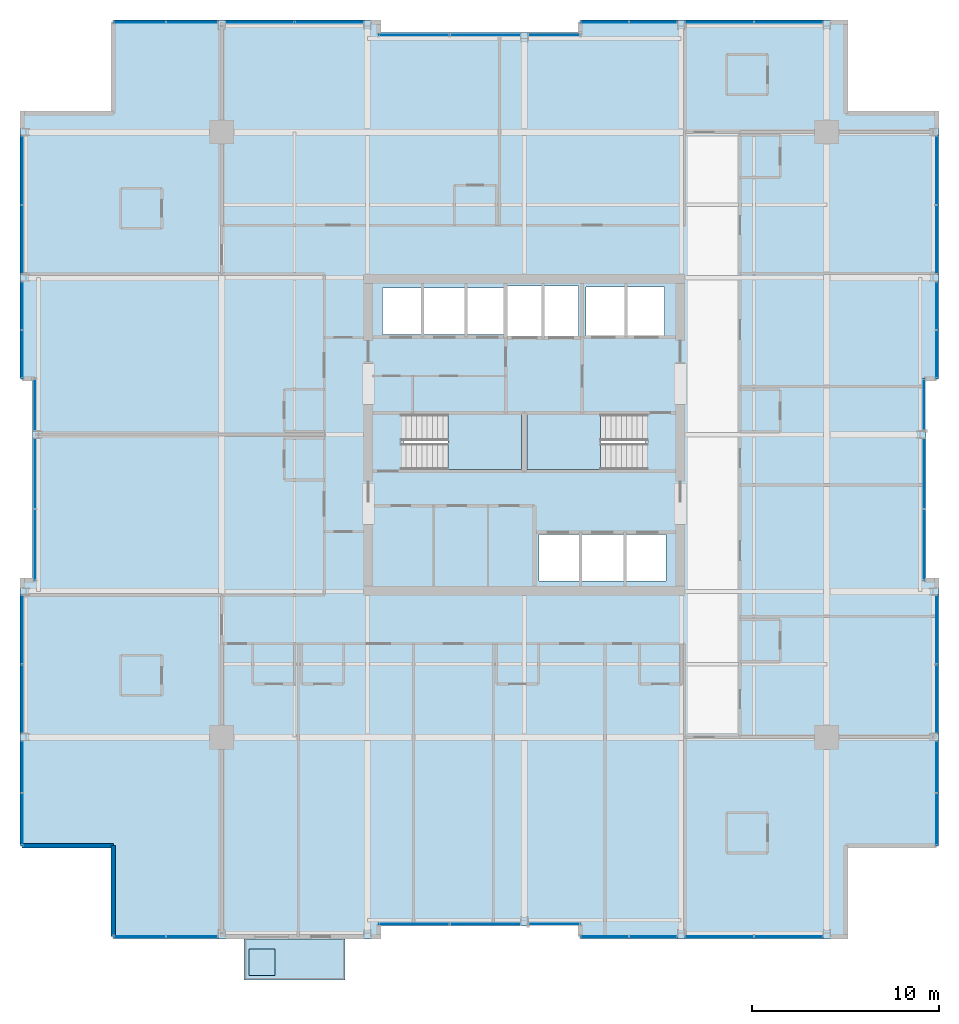
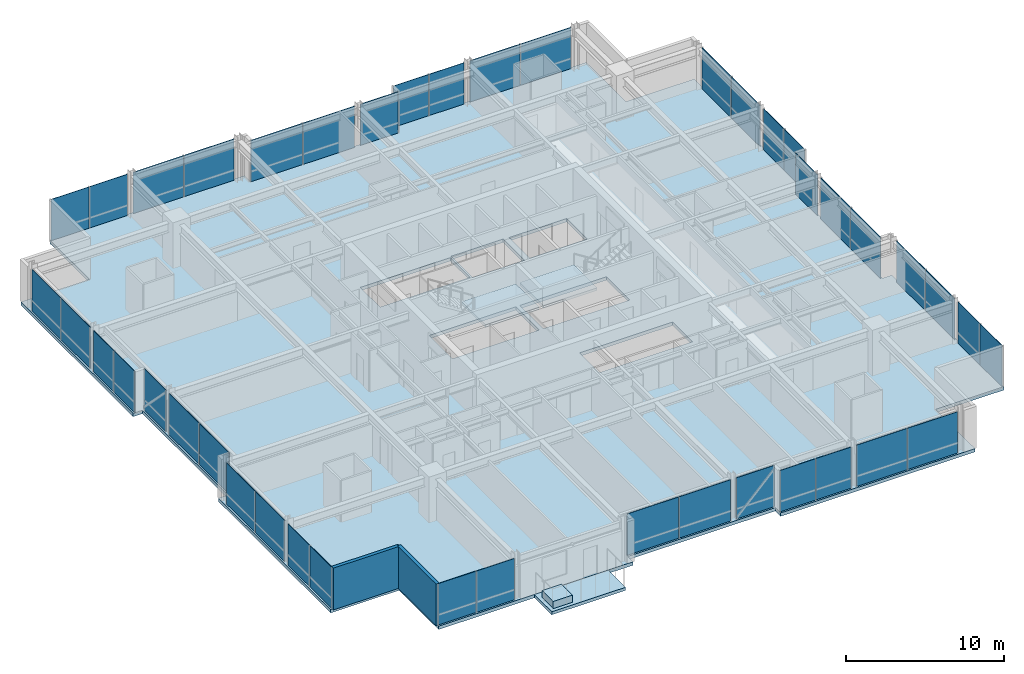
# One storey, part 25 of 33: 42 plates, 5 slabs, 2 walls, 25 elements without a shape of their own.
"""IFC4 building model written with IfcOpenShell, lengths in metres."""

from ifc_helpers import new_model, si_unit, direction, frame, frame_2d, origin, origin_2d, place, context, subcontext, project, spatial, polyline, rectangle, outline, extrude, material, layer, layer_set, type_object, element, aggregate, save


model = new_model("IFC4")

# Units and contexts
model_context = context("Model", 3, precision=1e-05, world=origin(), true_north=direction((0.0, 1.0)))
body_context = subcontext(model_context, "Body", "Model", "MODEL_VIEW")
ifc_project = project(units=[si_unit("LENGTHUNIT", "METRE"), si_unit("AREAUNIT", "SQUARE_METRE"), si_unit("VOLUMEUNIT", "CUBIC_METRE"), si_unit("PLANEANGLEUNIT", "RADIAN"), si_unit("MASSUNIT", "GRAM", prefix="KILO")], contexts=[model_context])

# Site, building, storey
site_placement = place(None, origin())
site = spatial("IfcSite", under=ifc_project, at=site_placement, CompositionType="ELEMENT")
building_placement = place(site_placement, origin())
building = spatial("IfcBuilding", under=site, at=building_placement, Name="Drelvath Grand Hotel", CompositionType="ELEMENT")
storey_placement = place(building_placement, frame((0.0, 0.0, 196.550048828125)))
storey = spatial("IfcBuildingStorey", under=building, at=storey_placement, Name="L51", CompositionType="ELEMENT", Elevation=196.550048828125)

# Slabs
ifc_material_1 = material(Name="Concrete f'c 40 MPa", Category="concrete")
ifc_layer_1 = layer(ifc_material_1, 0.239990234375)
ifc_layer_set_1 = layer_set([ifc_layer_1], Name="Concrete f'c 40 MPa")
slab_type_1 = type_object("IfcSlabType", Name="Cantilevered Tree Balcony Slab 240", PredefinedType="FLOOR", material=ifc_layer_set_1)
slab_1_placement = place(storey_placement, frame((0.0, 0.0, -0.239990234375)))
element("IfcSlab", 1, at=slab_1_placement, inside=storey, type_object=slab_type_1, Name="L51 Cantilevered Tree Balcony Slab 1", PredefinedType="FLOOR", context=body_context, shape_type="SweptSolid", body=[
    extrude(outline(polyline([(-15.0, -2.199951171875), (-9.60009765625, -2.199951171875), (-9.60009765625, 0.0), (-15.0, 0.0), (-15.0, -2.199951171875)])), origin(), (0.0, 0.0, 1.0), 0.239990234375),
])
ifc_layer_2 = layer(ifc_material_1, 0.260009765625)
ifc_layer_set_2 = layer_set([ifc_layer_2], Name="Concrete f'c 40 MPa")
slab_type_2 = type_object("IfcSlabType", Name="Composite RC Floor Slab 260", PredefinedType="FLOOR", material=ifc_layer_set_2)
slab_2_placement = place(storey_placement, frame((0.0, 0.0, -0.260009765625)))
element("IfcSlab", 2, at=slab_2_placement, inside=storey, type_object=slab_type_2, Name="L51 Structural Floor Slab", PredefinedType="FLOOR", context=body_context, shape_type="SweptSolid", body=[
    extrude(outline(polyline([(-22.0, 0.0), (-7.800048828125, 0.0), (-7.800048828125, 0.679931640625), (3.0, 0.679931640625), (3.0, 0.0), (17.199951171875, 0.0), (17.199951171875, 5.0), (22.199951171875, 5.0), (22.199951171875, 19.199951171875), (21.52001953125, 19.199951171875), (21.52001953125, 30.0), (22.199951171875, 30.0), (22.199951171875, 44.199951171875), (17.199951171875, 44.199951171875), (17.199951171875, 49.199951171875), (3.0, 49.199951171875), (3.0, 48.52001953125), (-7.800048828125, 48.52001953125), (-7.800048828125, 49.199951171875), (-22.0, 49.199951171875), (-22.0, 44.199951171875), (-27.0, 44.199951171875), (-27.0, 30.0), (-26.320068359375, 30.0), (-26.320068359375, 19.199951171875), (-27.0, 19.199951171875), (-27.0, 5.0), (-22.0, 5.0), (-22.0, 0.0)]), holes=[polyline([(-6.47998046875, 25.1201171875), (-6.47998046875, 28.080078125), (-0.14990234375, 28.080078125), (-0.14990234375, 25.1201171875), (-6.47998046875, 25.1201171875)]), polyline([(0.14990234375, 25.1201171875), (0.14990234375, 28.080078125), (6.47998046875, 28.080078125), (6.47998046875, 25.1201171875), (0.14990234375, 25.1201171875)]), polyline([(0.800048828125, 19.14990234375), (0.800048828125, 21.64990234375), (7.60009765625, 21.64990234375), (7.60009765625, 19.14990234375), (0.800048828125, 19.14990234375)]), polyline([(-7.60009765625, 32.35009765625), (-7.60009765625, 34.85009765625), (-1.02001953125, 34.85009765625), (-1.02001953125, 32.35009765625), (-7.60009765625, 32.35009765625)]), polyline([(-0.89990234375, 32.25), (-0.89990234375, 34.949951171875), (2.89990234375, 34.949951171875), (2.89990234375, 32.25), (-0.89990234375, 32.25)]), polyline([(3.300048828125, 32.300048828125), (3.300048828125, 34.89990234375), (7.5, 34.89990234375), (7.5, 32.300048828125), (3.300048828125, 32.300048828125)])]), origin(), (0.0, 0.0, 1.0), 0.260009765625),
])

# Stair, slab
ifc_material_2 = material(Name="Concrete C40/50", Category="concrete")
stair_type = type_object("IfcStairType", Name="Dogleg Exit Stair W1400-R177.5", PredefinedType="HALF_TURN_STAIR", material=ifc_material_2)
stair_1_placement = place(storey_placement, origin())
stair_1 = element("IfcStair", 3, at=stair_1_placement, inside=storey, type_object=stair_type, Name="L51 Core Exit Stair ST-1", PredefinedType="HALF_TURN_STAIR")
ifc_layer_3 = layer(ifc_material_2, 0.199951171875)
ifc_layer_set_3 = layer_set([ifc_layer_3], Name="Concrete C40/50")
slab_type_3 = type_object("IfcSlabType", Name="Concrete Stair Landing Slab 200", PredefinedType="LANDING", material=ifc_layer_set_3)
slab_3_placement = place(storey_placement, frame((0.0, 0.0, 1.574951171875)))
slab_3 = element("IfcSlab", 4, at=slab_3_placement, type_object=slab_type_3, Name="ST-1 landing 1", PredefinedType="LANDING", context=body_context, shape_type="SweptSolid", body=[
    extrude(outline(polyline([(-4.080078125, 25.1201171875), (-0.14990234375, 25.1201171875), (-0.14990234375, 28.080078125), (-4.080078125, 28.080078125), (-4.080078125, 25.1201171875)])), origin(), (0.0, 0.0, 1.0), 0.199951171875),
])
aggregate(stair_1, [slab_3])

stair_2_placement = place(storey_placement, origin())
stair_2 = element("IfcStair", 5, at=stair_2_placement, inside=storey, type_object=stair_type, Name="L51 Core Exit Stair ST-2", PredefinedType="HALF_TURN_STAIR")
slab_4_placement = place(storey_placement, frame((0.0, 0.0, 1.574951171875)))
slab_4 = element("IfcSlab", 6, at=slab_4_placement, type_object=slab_type_3, Name="ST-2 landing 1", PredefinedType="LANDING", context=body_context, shape_type="SweptSolid", body=[
    extrude(outline(polyline([(4.080078125, 28.080078125), (0.14990234375, 28.080078125), (0.14990234375, 25.1201171875), (4.080078125, 25.1201171875), (4.080078125, 28.080078125)])), origin(), (0.0, 0.0, 1.0), 0.199951171875),
])
aggregate(stair_2, [slab_4])

# Curtain wall, plates
ifc_material_3 = material(Name="Brushed Pale-Silver Anodised Aluminium Frame", Category="aluminium")
ifc_layer_4 = layer(ifc_material_3, 0.199951171875)
ifc_layer_set_4 = layer_set([ifc_layer_4], Name="Brushed Pale-Silver Anodised Aluminium Frame")
curtain_wall_type = type_object("IfcCurtainWallType", Name="Stick Curtain Wall CW-04 Brushed Silver Upper-Mid", PredefinedType="NOTDEFINED", material=ifc_layer_set_4)
curtain_wall_1_placement = place(storey_placement, origin())
curtain_wall_1 = element("IfcCurtainWall", 7, at=curtain_wall_1_placement, inside=storey, type_object=curtain_wall_type, Name="L51 CW-04 Curtain Wall CW04-L51-WS1", PredefinedType="NOTDEFINED")
ifc_material_4 = material(Name="Low-E Triple Silver Vision Glass Cool", Category="glass")
ifc_layer_5 = layer(ifc_material_4, 0.035888671875)
ifc_layer_set_5 = layer_set([ifc_layer_5], Name="Low-E Triple Silver Vision Glass Cool")
plate_type = type_object("IfcPlateType", Name="Curtain Wall Vision Panel CW-04 36mm", PredefinedType="CURTAIN_PANEL", material=ifc_layer_set_5)
plate_1_placement = place(storey_placement, frame((-26.8798828125, 6.402099609375, 0.02001953125), z_axis=(0.0, 0.0, 1.0), x_axis=(0.0, 1.0, 0.0)))
plate_1 = element("IfcPlate", 8, at=plate_1_placement, type_object=plate_type, Name="CW04-L51-WS1 Glazed Panel 1", PredefinedType="CURTAIN_PANEL", context=body_context, shape_type="SweptSolid", body=[
    extrude(rectangle(XDim=2.76416015625, YDim=0.035888671875, at=origin_2d()), origin(), (0.0, 0.0, 1.0), 3.18994140625),
])
plate_2_placement = place(storey_placement, frame((-26.8798828125, 9.206298828125, 0.02001953125), z_axis=(0.0, 0.0, 1.0), x_axis=(0.0, 1.0, 0.0)))
plate_2 = element("IfcPlate", 9, at=plate_2_placement, type_object=plate_type, Name="CW04-L51-WS1 Glazed Panel 2", PredefinedType="CURTAIN_PANEL", context=body_context, shape_type="SweptSolid", body=[
    extrude(rectangle(XDim=2.76416015625, YDim=0.035888671875, at=origin_2d()), origin(), (0.0, 0.0, 1.0), 3.18994140625),
])
aggregate(curtain_wall_1, [plate_1, plate_2])

curtain_wall_2_placement = place(storey_placement, origin())
curtain_wall_2 = element("IfcCurtainWall", 10, at=curtain_wall_2_placement, inside=storey, type_object=curtain_wall_type, Name="L51 CW-04 Curtain Wall CW04-L51-WS2", PredefinedType="NOTDEFINED")
plate_3_placement = place(storey_placement, frame((-26.8798828125, 12.845947265625, 0.02001953125), z_axis=(0.0, 0.0, 1.0), x_axis=(0.0, 1.0, 0.0)))
plate_3 = element("IfcPlate", 11, at=plate_3_placement, type_object=plate_type, Name="CW04-L51-WS2 Glazed Panel 1", PredefinedType="CURTAIN_PANEL", context=body_context, shape_type="SweptSolid", body=[
    extrude(rectangle(XDim=3.66845703125, YDim=0.035888671875, at=origin_2d()), origin(), (0.0, 0.0, 1.0), 3.18994140625),
])
plate_4_placement = place(storey_placement, frame((-26.8798828125, 16.55419921875, 0.02001953125), z_axis=(0.0, 0.0, 1.0), x_axis=(0.0, 1.0, 0.0)))
plate_4 = element("IfcPlate", 12, at=plate_4_placement, type_object=plate_type, Name="CW04-L51-WS2 Glazed Panel 2", PredefinedType="CURTAIN_PANEL", context=body_context, shape_type="SweptSolid", body=[
    extrude(rectangle(XDim=3.66845703125, YDim=0.035888671875, at=origin_2d()), origin(), (0.0, 0.0, 1.0), 3.18994140625),
])
aggregate(curtain_wall_2, [plate_3, plate_4])

curtain_wall_3_placement = place(storey_placement, origin())
curtain_wall_3 = element("IfcCurtainWall", 13, at=curtain_wall_3_placement, inside=storey, type_object=curtain_wall_type, Name="L51 CW-04 Curtain Wall CW04-L51-WM1", PredefinedType="NOTDEFINED")
plate_5_placement = place(storey_placement, frame((-26.199951171875, 21.10205078125, 0.02001953125), z_axis=(0.0, 0.0, 1.0), x_axis=(0.0, 1.0, 0.0)))
plate_5 = element("IfcPlate", 14, at=plate_5_placement, type_object=plate_type, Name="CW04-L51-WM1 Glazed Panel 1", PredefinedType="CURTAIN_PANEL", context=body_context, shape_type="SweptSolid", body=[
    extrude(rectangle(XDim=3.76416015625, YDim=0.035888671875, at=origin_2d()), origin(), (0.0, 0.0, 1.0), 3.18994140625),
])
plate_6_placement = place(storey_placement, frame((-26.199951171875, 24.90625, 0.02001953125), z_axis=(0.0, 0.0, 1.0), x_axis=(0.0, 1.0, 0.0)))
plate_6 = element("IfcPlate", 15, at=plate_6_placement, type_object=plate_type, Name="CW04-L51-WM1 Glazed Panel 2", PredefinedType="CURTAIN_PANEL", context=body_context, shape_type="SweptSolid", body=[
    extrude(rectangle(XDim=3.76416015625, YDim=0.035888671875, at=origin_2d()), origin(), (0.0, 0.0, 1.0), 3.18994140625),
])
aggregate(curtain_wall_3, [plate_5, plate_6])

# Curtain wall, plate
curtain_wall_4_placement = place(storey_placement, origin())
curtain_wall_4 = element("IfcCurtainWall", 16, at=curtain_wall_4_placement, inside=storey, type_object=curtain_wall_type, Name="L51 CW-04 Curtain Wall CW04-L51-WM2", PredefinedType="NOTDEFINED")
plate_7_placement = place(storey_placement, frame((-26.199951171875, 28.595703125, 0.02001953125), z_axis=(0.0, 0.0, 1.0), x_axis=(0.0, 1.0, 0.0)))
plate_7 = element("IfcPlate", 17, at=plate_7_placement, type_object=plate_type, Name="CW04-L51-WM2 Glazed Panel 1", PredefinedType="CURTAIN_PANEL", context=body_context, shape_type="SweptSolid", body=[
    extrude(rectangle(XDim=2.768310546875, YDim=0.035888671875, at=origin_2d()), origin(), (0.0, 0.0, 1.0), 3.18994140625),
])
aggregate(curtain_wall_4, [plate_7])

# Curtain wall, plates
curtain_wall_5_placement = place(storey_placement, origin())
curtain_wall_5 = element("IfcCurtainWall", 18, at=curtain_wall_5_placement, inside=storey, type_object=curtain_wall_type, Name="L51 CW-04 Curtain Wall CW04-L51-WN1", PredefinedType="NOTDEFINED")
plate_8_placement = place(storey_placement, frame((-26.8798828125, 31.302001953125, 0.02001953125), z_axis=(0.0, 0.0, 1.0), x_axis=(0.0, 1.0, 0.0)))
plate_8 = element("IfcPlate", 19, at=plate_8_placement, type_object=plate_type, Name="CW04-L51-WN1 Glazed Panel 1", PredefinedType="CURTAIN_PANEL", context=body_context, shape_type="SweptSolid", body=[
    extrude(rectangle(XDim=2.564208984375, YDim=0.035888671875, at=origin_2d()), origin(), (0.0, 0.0, 1.0), 3.18994140625),
])
plate_9_placement = place(storey_placement, frame((-26.8798828125, 33.90625, 0.02001953125), z_axis=(0.0, 0.0, 1.0), x_axis=(0.0, 1.0, 0.0)))
plate_9 = element("IfcPlate", 20, at=plate_9_placement, type_object=plate_type, Name="CW04-L51-WN1 Glazed Panel 2", PredefinedType="CURTAIN_PANEL", context=body_context, shape_type="SweptSolid", body=[
    extrude(rectangle(XDim=2.564208984375, YDim=0.035888671875, at=origin_2d()), origin(), (0.0, 0.0, 1.0), 3.18994140625),
])
aggregate(curtain_wall_5, [plate_8, plate_9])

curtain_wall_6_placement = place(storey_placement, origin())
curtain_wall_6 = element("IfcCurtainWall", 21, at=curtain_wall_6_placement, inside=storey, type_object=curtain_wall_type, Name="L51 CW-04 Curtain Wall CW04-L51-WN2", PredefinedType="NOTDEFINED")
plate_10_placement = place(storey_placement, frame((-26.8798828125, 37.44580078125, 0.02001953125), z_axis=(0.0, 0.0, 1.0), x_axis=(0.0, 1.0, 0.0)))
plate_10 = element("IfcPlate", 22, at=plate_10_placement, type_object=plate_type, Name="CW04-L51-WN2 Glazed Panel 1", PredefinedType="CURTAIN_PANEL", context=body_context, shape_type="SweptSolid", body=[
    extrude(rectangle(XDim=3.66845703125, YDim=0.035888671875, at=origin_2d()), origin(), (0.0, 0.0, 1.0), 3.18994140625),
])
plate_11_placement = place(storey_placement, frame((-26.8798828125, 41.154296875, 0.02001953125), z_axis=(0.0, 0.0, 1.0), x_axis=(0.0, 1.0, 0.0)))
plate_11 = element("IfcPlate", 23, at=plate_11_placement, type_object=plate_type, Name="CW04-L51-WN2 Glazed Panel 2", PredefinedType="CURTAIN_PANEL", context=body_context, shape_type="SweptSolid", body=[
    extrude(rectangle(XDim=3.66845703125, YDim=0.035888671875, at=origin_2d()), origin(), (0.0, 0.0, 1.0), 3.18994140625),
])
aggregate(curtain_wall_6, [plate_10, plate_11])

curtain_wall_7_placement = place(storey_placement, origin())
curtain_wall_7 = element("IfcCurtainWall", 24, at=curtain_wall_7_placement, inside=storey, type_object=curtain_wall_type, Name="L51 CW-04 Curtain Wall CW04-L51-EN1", PredefinedType="NOTDEFINED")
plate_12_placement = place(storey_placement, frame((22.080078125, 33.90625, 0.02001953125), z_axis=(0.0, 0.0, 1.0), x_axis=(0.0, -1.0, 0.0)))
plate_12 = element("IfcPlate", 25, at=plate_12_placement, type_object=plate_type, Name="CW04-L51-EN1 Glazed Panel 1", PredefinedType="CURTAIN_PANEL", context=body_context, shape_type="SweptSolid", body=[
    extrude(rectangle(XDim=2.564208984375, YDim=0.035888671875, at=origin_2d()), origin(), (0.0, 0.0, 1.0), 3.18994140625),
])
plate_13_placement = place(storey_placement, frame((22.080078125, 31.302001953125, 0.02001953125), z_axis=(0.0, 0.0, 1.0), x_axis=(0.0, -1.0, 0.0)))
plate_13 = element("IfcPlate", 26, at=plate_13_placement, type_object=plate_type, Name="CW04-L51-EN1 Glazed Panel 2", PredefinedType="CURTAIN_PANEL", context=body_context, shape_type="SweptSolid", body=[
    extrude(rectangle(XDim=2.564208984375, YDim=0.035888671875, at=origin_2d()), origin(), (0.0, 0.0, 1.0), 3.18994140625),
])
aggregate(curtain_wall_7, [plate_12, plate_13])

curtain_wall_8_placement = place(storey_placement, origin())
curtain_wall_8 = element("IfcCurtainWall", 27, at=curtain_wall_8_placement, inside=storey, type_object=curtain_wall_type, Name="L51 CW-04 Curtain Wall CW04-L51-EN2", PredefinedType="NOTDEFINED")
plate_14_placement = place(storey_placement, frame((22.080078125, 41.154296875, 0.02001953125), z_axis=(0.0, 0.0, 1.0), x_axis=(0.0, -1.0, 0.0)))
plate_14 = element("IfcPlate", 28, at=plate_14_placement, type_object=plate_type, Name="CW04-L51-EN2 Glazed Panel 1", PredefinedType="CURTAIN_PANEL", context=body_context, shape_type="SweptSolid", body=[
    extrude(rectangle(XDim=3.66845703125, YDim=0.035888671875, at=origin_2d()), origin(), (0.0, 0.0, 1.0), 3.18994140625),
])
plate_15_placement = place(storey_placement, frame((22.080078125, 37.44580078125, 0.02001953125), z_axis=(0.0, 0.0, 1.0), x_axis=(0.0, -1.0, 0.0)))
plate_15 = element("IfcPlate", 29, at=plate_15_placement, type_object=plate_type, Name="CW04-L51-EN2 Glazed Panel 2", PredefinedType="CURTAIN_PANEL", context=body_context, shape_type="SweptSolid", body=[
    extrude(rectangle(XDim=3.66845703125, YDim=0.035888671875, at=origin_2d()), origin(), (0.0, 0.0, 1.0), 3.18994140625),
])
aggregate(curtain_wall_8, [plate_14, plate_15])

curtain_wall_9_placement = place(storey_placement, origin())
curtain_wall_9 = element("IfcCurtainWall", 30, at=curtain_wall_9_placement, inside=storey, type_object=curtain_wall_type, Name="L51 CW-04 Curtain Wall CW04-L51-EM1", PredefinedType="NOTDEFINED")
plate_16_placement = place(storey_placement, frame((21.39990234375, 24.90625, 0.02001953125), z_axis=(0.0, 0.0, 1.0), x_axis=(0.0, -1.0, 0.0)))
plate_16 = element("IfcPlate", 31, at=plate_16_placement, type_object=plate_type, Name="CW04-L51-EM1 Glazed Panel 1", PredefinedType="CURTAIN_PANEL", context=body_context, shape_type="SweptSolid", body=[
    extrude(rectangle(XDim=3.76416015625, YDim=0.035888671875, at=origin_2d()), origin(), (0.0, 0.0, 1.0), 3.18994140625),
])
plate_17_placement = place(storey_placement, frame((21.39990234375, 21.10205078125, 0.02001953125), z_axis=(0.0, 0.0, 1.0), x_axis=(0.0, -1.0, 0.0)))
plate_17 = element("IfcPlate", 32, at=plate_17_placement, type_object=plate_type, Name="CW04-L51-EM1 Glazed Panel 2", PredefinedType="CURTAIN_PANEL", context=body_context, shape_type="SweptSolid", body=[
    extrude(rectangle(XDim=3.76416015625, YDim=0.035888671875, at=origin_2d()), origin(), (0.0, 0.0, 1.0), 3.18994140625),
])
aggregate(curtain_wall_9, [plate_16, plate_17])

# Curtain wall, plate
curtain_wall_10_placement = place(storey_placement, origin())
curtain_wall_10 = element("IfcCurtainWall", 33, at=curtain_wall_10_placement, inside=storey, type_object=curtain_wall_type, Name="L51 CW-04 Curtain Wall CW04-L51-EM2", PredefinedType="NOTDEFINED")
plate_18_placement = place(storey_placement, frame((21.39990234375, 28.595703125, 0.02001953125), z_axis=(0.0, 0.0, 1.0), x_axis=(0.0, -1.0, 0.0)))
plate_18 = element("IfcPlate", 34, at=plate_18_placement, type_object=plate_type, Name="CW04-L51-EM2 Glazed Panel 1", PredefinedType="CURTAIN_PANEL", context=body_context, shape_type="SweptSolid", body=[
    extrude(rectangle(XDim=2.768310546875, YDim=0.035888671875, at=origin_2d()), origin(), (0.0, 0.0, 1.0), 3.18994140625),
])
aggregate(curtain_wall_10, [plate_18])

# Curtain wall, plates
curtain_wall_11_placement = place(storey_placement, origin())
curtain_wall_11 = element("IfcCurtainWall", 35, at=curtain_wall_11_placement, inside=storey, type_object=curtain_wall_type, Name="L51 CW-04 Curtain Wall CW04-L51-ES1", PredefinedType="NOTDEFINED")
plate_19_placement = place(storey_placement, frame((22.080078125, 9.206298828125, 0.02001953125), z_axis=(0.0, 0.0, 1.0), x_axis=(0.0, -1.0, 0.0)))
plate_19 = element("IfcPlate", 36, at=plate_19_placement, type_object=plate_type, Name="CW04-L51-ES1 Glazed Panel 1", PredefinedType="CURTAIN_PANEL", context=body_context, shape_type="SweptSolid", body=[
    extrude(rectangle(XDim=2.76416015625, YDim=0.035888671875, at=origin_2d()), origin(), (0.0, 0.0, 1.0), 3.18994140625),
])
plate_20_placement = place(storey_placement, frame((22.080078125, 6.402099609375, 0.02001953125), z_axis=(0.0, 0.0, 1.0), x_axis=(0.0, -1.0, 0.0)))
plate_20 = element("IfcPlate", 37, at=plate_20_placement, type_object=plate_type, Name="CW04-L51-ES1 Glazed Panel 2", PredefinedType="CURTAIN_PANEL", context=body_context, shape_type="SweptSolid", body=[
    extrude(rectangle(XDim=2.76416015625, YDim=0.035888671875, at=origin_2d()), origin(), (0.0, 0.0, 1.0), 3.18994140625),
])
aggregate(curtain_wall_11, [plate_19, plate_20])

curtain_wall_12_placement = place(storey_placement, origin())
curtain_wall_12 = element("IfcCurtainWall", 38, at=curtain_wall_12_placement, inside=storey, type_object=curtain_wall_type, Name="L51 CW-04 Curtain Wall CW04-L51-ES2", PredefinedType="NOTDEFINED")
plate_21_placement = place(storey_placement, frame((22.080078125, 16.55419921875, 0.02001953125), z_axis=(0.0, 0.0, 1.0), x_axis=(0.0, -1.0, 0.0)))
plate_21 = element("IfcPlate", 39, at=plate_21_placement, type_object=plate_type, Name="CW04-L51-ES2 Glazed Panel 1", PredefinedType="CURTAIN_PANEL", context=body_context, shape_type="SweptSolid", body=[
    extrude(rectangle(XDim=3.66845703125, YDim=0.035888671875, at=origin_2d()), origin(), (0.0, 0.0, 1.0), 3.18994140625),
])
plate_22_placement = place(storey_placement, frame((22.080078125, 12.845947265625, 0.02001953125), z_axis=(0.0, 0.0, 1.0), x_axis=(0.0, -1.0, 0.0)))
plate_22 = element("IfcPlate", 40, at=plate_22_placement, type_object=plate_type, Name="CW04-L51-ES2 Glazed Panel 2", PredefinedType="CURTAIN_PANEL", context=body_context, shape_type="SweptSolid", body=[
    extrude(rectangle(XDim=3.66845703125, YDim=0.035888671875, at=origin_2d()), origin(), (0.0, 0.0, 1.0), 3.18994140625),
])
aggregate(curtain_wall_12, [plate_21, plate_22])

curtain_wall_13_placement = place(storey_placement, origin())
curtain_wall_13 = element("IfcCurtainWall", 41, at=curtain_wall_13_placement, inside=storey, type_object=curtain_wall_type, Name="L51 CW-04 Curtain Wall CW04-L51-NW1", PredefinedType="NOTDEFINED")
plate_23_placement = place(storey_placement, frame((-20.597900390625, 49.080078125, 0.02001953125), z_axis=(0.0, 0.0, 1.0), x_axis=(1.0, 0.0, 0.0)))
plate_23 = element("IfcPlate", 42, at=plate_23_placement, type_object=plate_type, Name="CW04-L51-NW1 Glazed Panel 1", PredefinedType="CURTAIN_PANEL", context=body_context, shape_type="SweptSolid", body=[
    extrude(rectangle(XDim=2.76416015625, YDim=0.035888671875, at=origin_2d()), origin(), (0.0, 0.0, 1.0), 3.18994140625),
])
plate_24_placement = place(storey_placement, frame((-17.793701171875, 49.080078125, 0.02001953125), z_axis=(0.0, 0.0, 1.0), x_axis=(1.0, 0.0, 0.0)))
plate_24 = element("IfcPlate", 43, at=plate_24_placement, type_object=plate_type, Name="CW04-L51-NW1 Glazed Panel 2", PredefinedType="CURTAIN_PANEL", context=body_context, shape_type="SweptSolid", body=[
    extrude(rectangle(XDim=2.76416015625, YDim=0.035888671875, at=origin_2d()), origin(), (0.0, 0.0, 1.0), 3.18994140625),
])
aggregate(curtain_wall_13, [plate_23, plate_24])

curtain_wall_14_placement = place(storey_placement, origin())
curtain_wall_14 = element("IfcCurtainWall", 44, at=curtain_wall_14_placement, inside=storey, type_object=curtain_wall_type, Name="L51 CW-04 Curtain Wall CW04-L51-NW2", PredefinedType="NOTDEFINED")
plate_25_placement = place(storey_placement, frame((-14.154296875, 49.080078125, 0.02001953125), z_axis=(0.0, 0.0, 1.0), x_axis=(1.0, 0.0, 0.0)))
plate_25 = element("IfcPlate", 45, at=plate_25_placement, type_object=plate_type, Name="CW04-L51-NW2 Glazed Panel 1", PredefinedType="CURTAIN_PANEL", context=body_context, shape_type="SweptSolid", body=[
    extrude(rectangle(XDim=3.66845703125, YDim=0.035888671875, at=origin_2d()), origin(), (0.0, 0.0, 1.0), 3.18994140625),
])
plate_26_placement = place(storey_placement, frame((-10.44580078125, 49.080078125, 0.02001953125), z_axis=(0.0, 0.0, 1.0), x_axis=(1.0, 0.0, 0.0)))
plate_26 = element("IfcPlate", 46, at=plate_26_placement, type_object=plate_type, Name="CW04-L51-NW2 Glazed Panel 2", PredefinedType="CURTAIN_PANEL", context=body_context, shape_type="SweptSolid", body=[
    extrude(rectangle(XDim=3.66845703125, YDim=0.035888671875, at=origin_2d()), origin(), (0.0, 0.0, 1.0), 3.18994140625),
])
aggregate(curtain_wall_14, [plate_25, plate_26])

curtain_wall_15_placement = place(storey_placement, origin())
curtain_wall_15 = element("IfcCurtainWall", 47, at=curtain_wall_15_placement, inside=storey, type_object=curtain_wall_type, Name="L51 CW-04 Curtain Wall CW04-L51-NM1", PredefinedType="NOTDEFINED")
plate_27_placement = place(storey_placement, frame((-5.89794921875, 48.39990234375, 0.02001953125), z_axis=(0.0, 0.0, 1.0), x_axis=(1.0, 0.0, 0.0)))
plate_27 = element("IfcPlate", 48, at=plate_27_placement, type_object=plate_type, Name="CW04-L51-NM1 Glazed Panel 1", PredefinedType="CURTAIN_PANEL", context=body_context, shape_type="SweptSolid", body=[
    extrude(rectangle(XDim=3.76416015625, YDim=0.035888671875, at=origin_2d()), origin(), (0.0, 0.0, 1.0), 3.18994140625),
])
plate_28_placement = place(storey_placement, frame((-2.09375, 48.39990234375, 0.02001953125), z_axis=(0.0, 0.0, 1.0), x_axis=(1.0, 0.0, 0.0)))
plate_28 = element("IfcPlate", 49, at=plate_28_placement, type_object=plate_type, Name="CW04-L51-NM1 Glazed Panel 2", PredefinedType="CURTAIN_PANEL", context=body_context, shape_type="SweptSolid", body=[
    extrude(rectangle(XDim=3.76416015625, YDim=0.035888671875, at=origin_2d()), origin(), (0.0, 0.0, 1.0), 3.18994140625),
])
aggregate(curtain_wall_15, [plate_27, plate_28])

# Curtain wall, plate
curtain_wall_16_placement = place(storey_placement, origin())
curtain_wall_16 = element("IfcCurtainWall", 50, at=curtain_wall_16_placement, inside=storey, type_object=curtain_wall_type, Name="L51 CW-04 Curtain Wall CW04-L51-NM2", PredefinedType="NOTDEFINED")
plate_29_placement = place(storey_placement, frame((1.595703125, 48.39990234375, 0.02001953125), z_axis=(0.0, 0.0, 1.0), x_axis=(1.0, 0.0, 0.0)))
plate_29 = element("IfcPlate", 51, at=plate_29_placement, type_object=plate_type, Name="CW04-L51-NM2 Glazed Panel 1", PredefinedType="CURTAIN_PANEL", context=body_context, shape_type="SweptSolid", body=[
    extrude(rectangle(XDim=2.768310546875, YDim=0.035888671875, at=origin_2d()), origin(), (0.0, 0.0, 1.0), 3.18994140625),
])
aggregate(curtain_wall_16, [plate_29])

# Curtain wall, plates
curtain_wall_17_placement = place(storey_placement, origin())
curtain_wall_17 = element("IfcCurtainWall", 52, at=curtain_wall_17_placement, inside=storey, type_object=curtain_wall_type, Name="L51 CW-04 Curtain Wall CW04-L51-NE1", PredefinedType="NOTDEFINED")
plate_30_placement = place(storey_placement, frame((4.302001953125, 49.080078125, 0.02001953125), z_axis=(0.0, 0.0, 1.0), x_axis=(1.0, 0.0, 0.0)))
plate_30 = element("IfcPlate", 53, at=plate_30_placement, type_object=plate_type, Name="CW04-L51-NE1 Glazed Panel 1", PredefinedType="CURTAIN_PANEL", context=body_context, shape_type="SweptSolid", body=[
    extrude(rectangle(XDim=2.564208984375, YDim=0.035888671875, at=origin_2d()), origin(), (0.0, 0.0, 1.0), 3.18994140625),
])
plate_31_placement = place(storey_placement, frame((6.90625, 49.080078125, 0.02001953125), z_axis=(0.0, 0.0, 1.0), x_axis=(1.0, 0.0, 0.0)))
plate_31 = element("IfcPlate", 54, at=plate_31_placement, type_object=plate_type, Name="CW04-L51-NE1 Glazed Panel 2", PredefinedType="CURTAIN_PANEL", context=body_context, shape_type="SweptSolid", body=[
    extrude(rectangle(XDim=2.564208984375, YDim=0.035888671875, at=origin_2d()), origin(), (0.0, 0.0, 1.0), 3.18994140625),
])
aggregate(curtain_wall_17, [plate_30, plate_31])

curtain_wall_18_placement = place(storey_placement, origin())
curtain_wall_18 = element("IfcCurtainWall", 55, at=curtain_wall_18_placement, inside=storey, type_object=curtain_wall_type, Name="L51 CW-04 Curtain Wall CW04-L51-NE2", PredefinedType="NOTDEFINED")
plate_32_placement = place(storey_placement, frame((10.44580078125, 49.080078125, 0.02001953125), z_axis=(0.0, 0.0, 1.0), x_axis=(1.0, 0.0, 0.0)))
plate_32 = element("IfcPlate", 56, at=plate_32_placement, type_object=plate_type, Name="CW04-L51-NE2 Glazed Panel 1", PredefinedType="CURTAIN_PANEL", context=body_context, shape_type="SweptSolid", body=[
    extrude(rectangle(XDim=3.66845703125, YDim=0.035888671875, at=origin_2d()), origin(), (0.0, 0.0, 1.0), 3.18994140625),
])
plate_33_placement = place(storey_placement, frame((14.154296875, 49.080078125, 0.02001953125), z_axis=(0.0, 0.0, 1.0), x_axis=(1.0, 0.0, 0.0)))
plate_33 = element("IfcPlate", 57, at=plate_33_placement, type_object=plate_type, Name="CW04-L51-NE2 Glazed Panel 2", PredefinedType="CURTAIN_PANEL", context=body_context, shape_type="SweptSolid", body=[
    extrude(rectangle(XDim=3.66845703125, YDim=0.035888671875, at=origin_2d()), origin(), (0.0, 0.0, 1.0), 3.18994140625),
])
aggregate(curtain_wall_18, [plate_32, plate_33])

curtain_wall_19_placement = place(storey_placement, origin())
curtain_wall_19 = element("IfcCurtainWall", 58, at=curtain_wall_19_placement, inside=storey, type_object=curtain_wall_type, Name="L51 CW-04 Curtain Wall CW04-L51-SE1", PredefinedType="NOTDEFINED")
plate_34_placement = place(storey_placement, frame((6.90625, 0.1201171875, 0.02001953125), z_axis=(0.0, 0.0, 1.0), x_axis=(-1.0, 0.0, 0.0)))
plate_34 = element("IfcPlate", 59, at=plate_34_placement, type_object=plate_type, Name="CW04-L51-SE1 Glazed Panel 1", PredefinedType="CURTAIN_PANEL", context=body_context, shape_type="SweptSolid", body=[
    extrude(rectangle(XDim=2.564208984375, YDim=0.035888671875, at=origin_2d()), origin(), (0.0, 0.0, 1.0), 3.18994140625),
])
plate_35_placement = place(storey_placement, frame((4.302001953125, 0.1201171875, 0.02001953125), z_axis=(0.0, 0.0, 1.0), x_axis=(-1.0, 0.0, 0.0)))
plate_35 = element("IfcPlate", 60, at=plate_35_placement, type_object=plate_type, Name="CW04-L51-SE1 Glazed Panel 2", PredefinedType="CURTAIN_PANEL", context=body_context, shape_type="SweptSolid", body=[
    extrude(rectangle(XDim=2.564208984375, YDim=0.035888671875, at=origin_2d()), origin(), (0.0, 0.0, 1.0), 3.18994140625),
])
aggregate(curtain_wall_19, [plate_34, plate_35])

curtain_wall_20_placement = place(storey_placement, origin())
curtain_wall_20 = element("IfcCurtainWall", 61, at=curtain_wall_20_placement, inside=storey, type_object=curtain_wall_type, Name="L51 CW-04 Curtain Wall CW04-L51-SE2", PredefinedType="NOTDEFINED")
plate_36_placement = place(storey_placement, frame((14.154296875, 0.1201171875, 0.02001953125), z_axis=(0.0, 0.0, 1.0), x_axis=(-1.0, 0.0, 0.0)))
plate_36 = element("IfcPlate", 62, at=plate_36_placement, type_object=plate_type, Name="CW04-L51-SE2 Glazed Panel 1", PredefinedType="CURTAIN_PANEL", context=body_context, shape_type="SweptSolid", body=[
    extrude(rectangle(XDim=3.66845703125, YDim=0.035888671875, at=origin_2d()), origin(), (0.0, 0.0, 1.0), 3.18994140625),
])
plate_37_placement = place(storey_placement, frame((10.44580078125, 0.1201171875, 0.02001953125), z_axis=(0.0, 0.0, 1.0), x_axis=(-1.0, 0.0, 0.0)))
plate_37 = element("IfcPlate", 63, at=plate_37_placement, type_object=plate_type, Name="CW04-L51-SE2 Glazed Panel 2", PredefinedType="CURTAIN_PANEL", context=body_context, shape_type="SweptSolid", body=[
    extrude(rectangle(XDim=3.66845703125, YDim=0.035888671875, at=origin_2d()), origin(), (0.0, 0.0, 1.0), 3.18994140625),
])
aggregate(curtain_wall_20, [plate_36, plate_37])

curtain_wall_21_placement = place(storey_placement, origin())
curtain_wall_21 = element("IfcCurtainWall", 64, at=curtain_wall_21_placement, inside=storey, type_object=curtain_wall_type, Name="L51 CW-04 Curtain Wall CW04-L51-SM1", PredefinedType="NOTDEFINED")
plate_38_placement = place(storey_placement, frame((-2.09375, 0.800048828125, 0.02001953125), z_axis=(0.0, 0.0, 1.0), x_axis=(-1.0, 0.0, 0.0)))
plate_38 = element("IfcPlate", 65, at=plate_38_placement, type_object=plate_type, Name="CW04-L51-SM1 Glazed Panel 1", PredefinedType="CURTAIN_PANEL", context=body_context, shape_type="SweptSolid", body=[
    extrude(rectangle(XDim=3.76416015625, YDim=0.035888671875, at=origin_2d()), origin(), (0.0, 0.0, 1.0), 3.18994140625),
])
plate_39_placement = place(storey_placement, frame((-5.89794921875, 0.800048828125, 0.02001953125), z_axis=(0.0, 0.0, 1.0), x_axis=(-1.0, 0.0, 0.0)))
plate_39 = element("IfcPlate", 66, at=plate_39_placement, type_object=plate_type, Name="CW04-L51-SM1 Glazed Panel 2", PredefinedType="CURTAIN_PANEL", context=body_context, shape_type="SweptSolid", body=[
    extrude(rectangle(XDim=3.76416015625, YDim=0.035888671875, at=origin_2d()), origin(), (0.0, 0.0, 1.0), 3.18994140625),
])
aggregate(curtain_wall_21, [plate_38, plate_39])

# Curtain wall, plate
curtain_wall_22_placement = place(storey_placement, origin())
curtain_wall_22 = element("IfcCurtainWall", 67, at=curtain_wall_22_placement, inside=storey, type_object=curtain_wall_type, Name="L51 CW-04 Curtain Wall CW04-L51-SM2", PredefinedType="NOTDEFINED")
plate_40_placement = place(storey_placement, frame((1.595703125, 0.800048828125, 0.02001953125), z_axis=(0.0, 0.0, 1.0), x_axis=(-1.0, 0.0, 0.0)))
plate_40 = element("IfcPlate", 68, at=plate_40_placement, type_object=plate_type, Name="CW04-L51-SM2 Glazed Panel 1", PredefinedType="CURTAIN_PANEL", context=body_context, shape_type="SweptSolid", body=[
    extrude(rectangle(XDim=2.768310546875, YDim=0.035888671875, at=origin_2d()), origin(), (0.0, 0.0, 1.0), 3.18994140625),
])
aggregate(curtain_wall_22, [plate_40])

# Curtain wall, plates
curtain_wall_23_placement = place(storey_placement, origin())
curtain_wall_23 = element("IfcCurtainWall", 69, at=curtain_wall_23_placement, inside=storey, type_object=curtain_wall_type, Name="L51 CW-04 Curtain Wall CW04-L51-SW1", PredefinedType="NOTDEFINED")
plate_41_placement = place(storey_placement, frame((-17.793701171875, 0.1201171875, 0.02001953125), z_axis=(0.0, 0.0, 1.0), x_axis=(-1.0, 0.0, 0.0)))
plate_41 = element("IfcPlate", 70, at=plate_41_placement, type_object=plate_type, Name="CW04-L51-SW1 Glazed Panel 1", PredefinedType="CURTAIN_PANEL", context=body_context, shape_type="SweptSolid", body=[
    extrude(rectangle(XDim=2.76416015625, YDim=0.035888671875, at=origin_2d()), origin(), (0.0, 0.0, 1.0), 3.18994140625),
])
plate_42_placement = place(storey_placement, frame((-20.597900390625, 0.1201171875, 0.02001953125), z_axis=(0.0, 0.0, 1.0), x_axis=(-1.0, 0.0, 0.0)))
plate_42 = element("IfcPlate", 71, at=plate_42_placement, type_object=plate_type, Name="CW04-L51-SW1 Glazed Panel 2", PredefinedType="CURTAIN_PANEL", context=body_context, shape_type="SweptSolid", body=[
    extrude(rectangle(XDim=2.76416015625, YDim=0.035888671875, at=origin_2d()), origin(), (0.0, 0.0, 1.0), 3.18994140625),
])
aggregate(curtain_wall_23, [plate_41, plate_42])

# Slab
ifc_layer_6 = layer(ifc_material_1, 0.550048828125)
ifc_layer_set_6 = layer_set([ifc_layer_6], Name="Concrete f'c 40 MPa")
slab_type_4 = type_object("IfcSlabType", Name="Structural Tree Planter Box 550", PredefinedType="USERDEFINED", material=ifc_layer_set_6)
slab_5_placement = place(storey_placement, origin())
element("IfcSlab", 72, at=slab_5_placement, inside=storey, type_object=slab_type_4, Name="L51 Tree Balcony Structural Planter 1", ObjectType="PLANTER", PredefinedType="USERDEFINED", context=body_context, shape_type="SweptSolid", body=[
    extrude(outline(polyline([(-14.75, -1.949951171875), (-13.35009765625, -1.949951171875), (-13.35009765625, -0.550048828125), (-14.75, -0.550048828125), (-14.75, -1.949951171875)])), origin(), (0.0, 0.0, 1.0), 0.550048828125),
])

# Walls
ifc_material_5 = material(Name="Pale-Metal Insulated Aluminium Spandrel Assembly", Category="aluminium")
ifc_layer_7 = layer(ifc_material_5, 0.239990234375)
ifc_layer_set_7 = layer_set([ifc_layer_7], Name="Pale-Metal Insulated Aluminium Spandrel Assembly")
wall_type = type_object("IfcWallType", Name="Tower Insulated Metal Spandrel Closure Wall 240", PredefinedType="STANDARD", material=ifc_layer_set_7)
for number, where, z_axis, x_axis, name in (
    (73, (-22.0, 0.1201171875, 0.0), (0.0, 0.0, 1.0), (0.0, 1.0, 0.0), "L51 Notched Corner Return Spandrel Wall CSW1"),
    (74, (-22.0, 5.0, 0.0), (0.0, 0.0, 1.0), (-1.0, 0.0, 0.0), "L51 Notched Corner Return Spandrel Wall CSW2"),
):
    element("IfcWall", number, at=place(storey_placement, frame(where, z_axis=z_axis, x_axis=x_axis)), inside=storey, type_object=wall_type, Name=name, PredefinedType="STANDARD", context=body_context, shape_type="SweptSolid", body=[
        extrude(rectangle(XDim=4.8798828125, YDim=0.239990234375, at=frame_2d((2.43994140625, 0.0))), origin(), (0.0, 0.0, 1.0), 3.22998046875),
    ])

save(model, "model.ifc")
